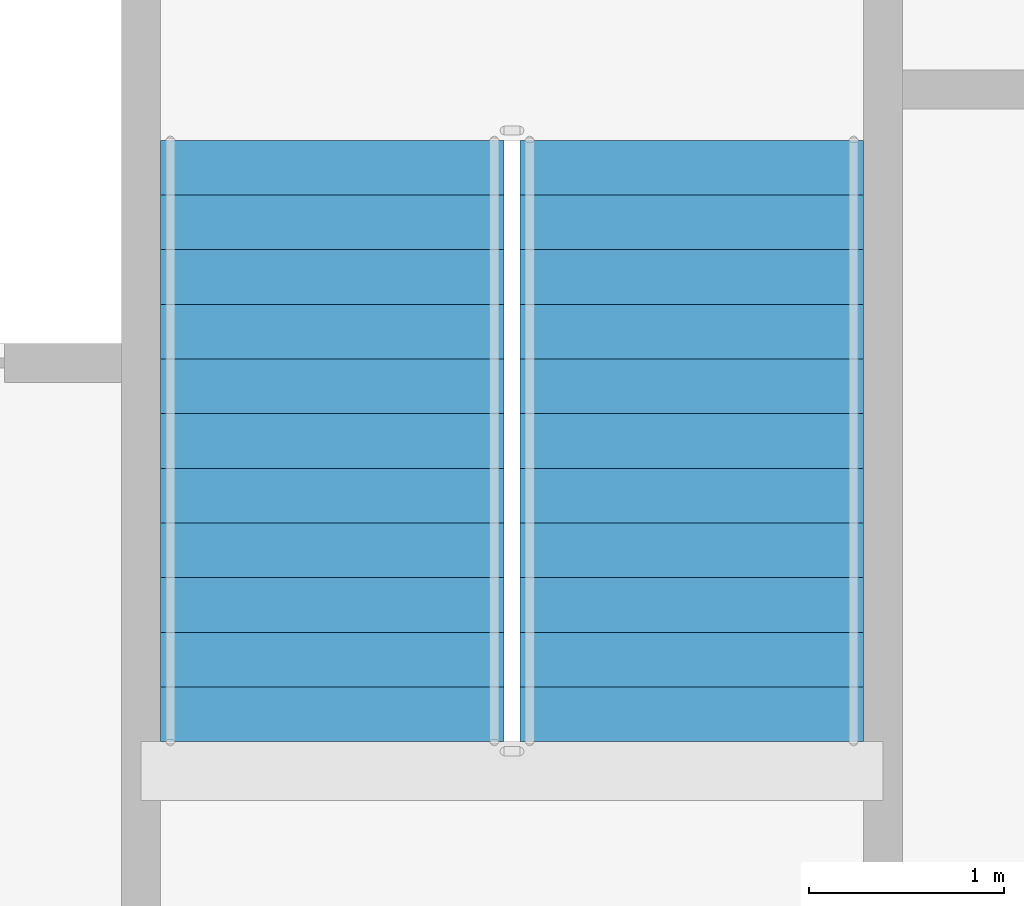
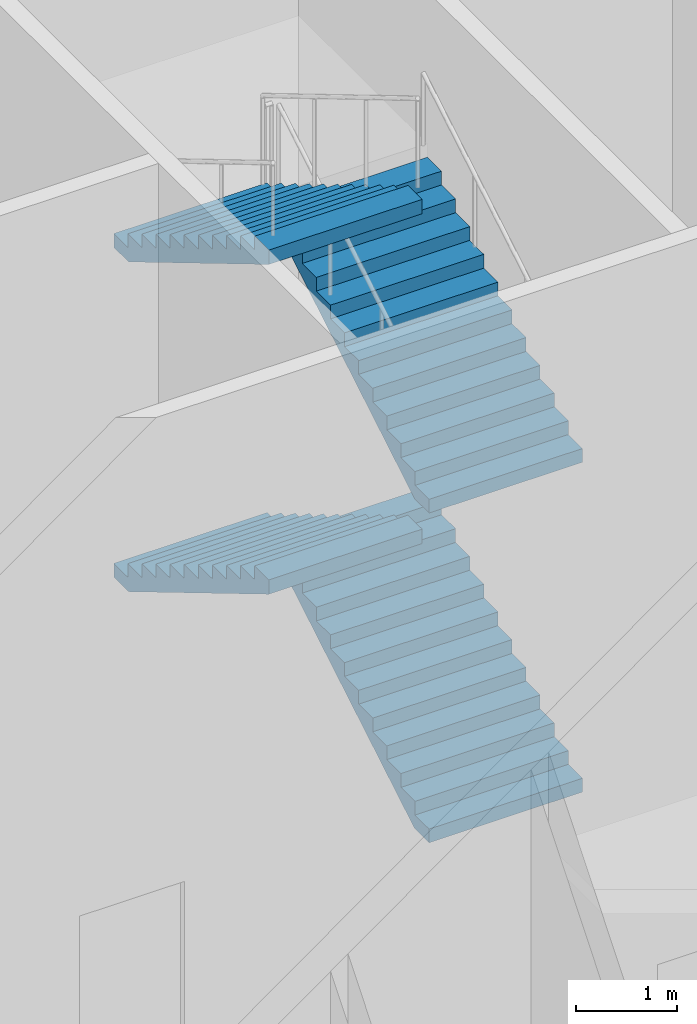
# One storey, part 54 of 63: 4 stair flights, 1 element without a shape of its own.
"""IFC4 building model written with IfcOpenShell, lengths in metres."""

import ifcopenshell
import ifcopenshell.guid

model = None  # the IFC model being written
_history = None  # IfcOwnerHistory: only IFC2X3 demands one
_inside = {}  # id of a spatial element -> (the spatial element, [elements in it])
_under = {}  # id of a project, library or spatial element -> (it, [spatial elements below it])
_declared = {}  # id of a project -> (the project, [libraries it declares])
_typed = {}  # id of a type object -> (the type object, [elements of that type])
_made_of = {}  # id of a material, layer set ... -> (it, [elements and type objects made of it])


def new_model(schema):
    """Start an empty IFC model of exactly this schema.

    Asked for "IFC4X3", IfcOpenShell would pick the latest addendum, in which some entities
    have other attributes; the version numbers below select the first issue.
    IFC2X3 requires an IfcOwnerHistory on every rooted entity: one is made here for all.
    """
    global model, _history
    if schema == "IFC4X3":
        model = ifcopenshell.file(schema_version=(4, 3, 0, 0))
    else:
        model = ifcopenshell.file(schema=schema)
    _inside.clear()
    _under.clear()
    _declared.clear()
    _typed.clear()
    _made_of.clear()
    _history = None
    if model.schema == "IFC2X3":
        org = make("IfcOrganization", Name="unknown")
        user = make(
            "IfcPersonAndOrganization",
            ThePerson=make("IfcPerson", FamilyName="unknown"),
            TheOrganization=org,
        )
        app = make(
            "IfcApplication",
            ApplicationDeveloper=org,
            Version="unknown",
            ApplicationFullName="unknown",
            ApplicationIdentifier="unknown",
        )
        _history = make(
            "IfcOwnerHistory",
            OwningUser=user,
            OwningApplication=app,
            ChangeAction="ADDED",
            CreationDate=0,
        )
    return model


def make(cls, **values):
    """One entity of the class cls with the attributes given. An attribute that is None is left unset."""
    return model.create_entity(
        cls, **{name: value for name, value in values.items() if value is not None}
    )


def rooted(cls, **values):
    """An entity with a GlobalId (a new one), such as an element, a storey or a relation."""
    return make(cls, GlobalId=ifcopenshell.guid.new(), OwnerHistory=_history, **values)


def si_unit(unit_type, name, prefix=None):
    """IfcSIUnit, for example si_unit("LENGTHUNIT", "METRE", prefix="MILLI")."""
    return make("IfcSIUnit", UnitType=unit_type, Prefix=prefix, Name=name)


def assignment(units):
    """IfcUnitAssignment: the units of a project."""
    return None if units is None else make("IfcUnitAssignment", Units=units)


def point(xyz):
    """IfcCartesianPoint."""
    return None if xyz is None else make("IfcCartesianPoint", Coordinates=xyz)


def direction(xyz):
    """IfcDirection."""
    return None if xyz is None else make("IfcDirection", DirectionRatios=xyz)


def frame(location, z_axis=None, x_axis=None):
    """IfcAxis2Placement3D, a coordinate frame: its origin and axes. An axis left out is left unset."""
    return make(
        "IfcAxis2Placement3D",
        Location=point(location),
        Axis=direction(z_axis),
        RefDirection=direction(x_axis),
    )


def origin():
    """The frame at (0, 0, 0) with its axes left unset."""
    return frame((0.0, 0.0, 0.0))


def place(relative_to, where):
    """IfcLocalPlacement: puts the frame where relative to a parent placement (None: the world)."""
    return make(
        "IfcLocalPlacement", PlacementRelTo=relative_to, RelativePlacement=where
    )


def context(
    kind, dimensions, precision=None, world=None, true_north=None, identifier=None
):
    """IfcGeometricRepresentationContext, for example the 3D "Model" context."""
    return make(
        "IfcGeometricRepresentationContext",
        ContextIdentifier=identifier,
        ContextType=kind,
        CoordinateSpaceDimension=dimensions,
        Precision=precision,
        WorldCoordinateSystem=world,
        TrueNorth=true_north,
    )


def subcontext(parent, identifier, kind, view, scale=None):
    """IfcGeometricRepresentationSubContext, for example "Body" below "Model"."""
    return make(
        "IfcGeometricRepresentationSubContext",
        ContextIdentifier=identifier,
        ContextType=kind,
        ParentContext=parent,
        TargetScale=scale,
        TargetView=view,
    )


def project(units=None, contexts=None):
    """IfcProject with its units and contexts."""
    return rooted(
        "IfcProject",
        Name="project",
        RepresentationContexts=contexts,
        UnitsInContext=assignment(units),
    )


def spatial(cls, under=None, at=None, **own):
    """A site, building, storey or space (cls), placed at a placement, below another one or the project."""
    s = rooted(cls, ObjectPlacement=at, **own)
    if under is not None:
        _under.setdefault(under.id(), (under, []))[1].append(s)
    return s


def faces_of(points, faces, orient=None, outer=None):
    """IfcFace entities. A face is a list of loops; a loop is a list of indices into points, from 0.

    orient and outer hold one flag for each loop. By default every Orientation is true, the
    first loop of a face is its IfcFaceOuterBound and the others are IfcFaceBound.
    """
    made = []
    for i, loops in enumerate(faces):
        bounds = []
        for j, loop in enumerate(loops):
            is_outer = j == 0 if outer is None else outer[i][j]
            bounds.append(
                make(
                    "IfcFaceOuterBound" if is_outer else "IfcFaceBound",
                    Bound=make("IfcPolyLoop", Polygon=[points[k] for k in loop]),
                    Orientation=True if orient is None else orient[i][j],
                )
            )
        made.append(make("IfcFace", Bounds=bounds))
    return made


def faceted_brep(points, faces, orient=None, outer=None, voids=None):
    """IfcFacetedBrep: a solid bounded by flat faces; with voids (closed shells), ...WithVoids."""
    shared = [point(p) for p in points]
    hull = make("IfcClosedShell", CfsFaces=faces_of(shared, faces, orient, outer))
    if voids is None:
        return make("IfcFacetedBrep", Outer=hull)
    return make(
        "IfcFacetedBrepWithVoids",
        Outer=hull,
        Voids=[
            make(cls, CfsFaces=faces_of(shared, fs, o, b)) for cls, fs, o, b in voids
        ],
    )


def shape(context_of_items, identifier, shape_type, items):
    """IfcShapeRepresentation: the items that make up one representation, for example the "Body"."""
    return make(
        "IfcShapeRepresentation",
        ContextOfItems=context_of_items,
        RepresentationIdentifier=identifier,
        RepresentationType=shape_type,
        Items=items,
    )


def material(Name=None, Category=None):
    """IfcMaterial."""
    return make("IfcMaterial", Name=Name, Category=Category)


def made_of(thing, what):
    """Note that an element or type object is made of a material, layer set ...; save() writes the relation."""
    if what is not None:
        _made_of.setdefault(what.id(), (what, []))[1].append(thing)
    return thing


def type_object(cls, material=None, **own):
    """A type object (cls), such as IfcWallType, which elements share."""
    return made_of(rooted(cls, **own), material)


def element(
    cls,
    number,
    at=None,
    inside=None,
    cuts=None,
    type_object=None,
    material=None,
    context=None,
    identifier="Body",
    shape_type=None,
    held_by="IfcProductDefinitionShape",
    body=None,
    shapes=None,
    **own,
):
    """One element of the class cls, such as IfcWall. Its Tag is "e" and its number.

    at: its placement. inside: the storey or other place that contains it. cuts: it is an
    opening in that element (IfcRelVoidsElement). A single representation is given by context,
    identifier, shape_type and body (its items); several are given by shapes. held_by: the class
    of the entity that holds the representations. save() writes the other relations.
    """
    e = rooted(cls, Tag="e%d" % number, ObjectPlacement=at, **own)
    if body is not None:
        shapes = [shape(context, identifier, shape_type, body)]
    if shapes is not None:
        e.Representation = make(held_by, Representations=shapes)
    if inside is not None:
        _inside.setdefault(inside.id(), (inside, []))[1].append(e)
    if cuts is not None:
        rooted(
            "IfcRelVoidsElement", RelatingBuildingElement=cuts, RelatedOpeningElement=e
        )
    if type_object is not None:
        _typed.setdefault(type_object.id(), (type_object, []))[1].append(e)
    return made_of(e, material)


def aggregate(whole, parts):
    """IfcRelAggregates: a whole, such as a stair, and the parts it consists of."""
    return rooted("IfcRelAggregates", RelatingObject=whole, RelatedObjects=parts)


def save(model, path):
    """Write the relations noted so far, then the file.

    IfcRelAggregates (storeys below a building ...), IfcRelContainedInSpatialStructure (elements
    in a storey), IfcRelDefinesByType, IfcRelAssociatesMaterial and IfcRelDeclares: one each for
    every whole, place, type object, material and project.
    """
    for whole, parts in _under.values():
        aggregate(whole, parts)
    for where, things in _inside.values():
        rooted(
            "IfcRelContainedInSpatialStructure",
            RelatedElements=things,
            RelatingStructure=where,
        )
    for kind, things in _typed.values():
        rooted("IfcRelDefinesByType", RelatedObjects=things, RelatingType=kind)
    for what, things in _made_of.values():
        rooted("IfcRelAssociatesMaterial", RelatedObjects=things, RelatingMaterial=what)
    for by, libraries in _declared.values():
        rooted("IfcRelDeclares", RelatingContext=by, RelatedDefinitions=libraries)
    model.write(path)


model = new_model("IFC4")

# Units and contexts
model_context = context("Model", 3, precision=1e-05, world=origin(), true_north=direction((0.0, 1.0)))
body_context = subcontext(model_context, "Body", "Model", "MODEL_VIEW")
ifc_project = project(units=[si_unit("LENGTHUNIT", "METRE"), si_unit("AREAUNIT", "SQUARE_METRE"), si_unit("VOLUMEUNIT", "CUBIC_METRE"), si_unit("PLANEANGLEUNIT", "RADIAN"), si_unit("MASSUNIT", "GRAM", prefix="KILO")], contexts=[model_context])

# Site, building, storey
site_placement = place(None, origin())
site = spatial("IfcSite", under=ifc_project, at=site_placement, CompositionType="ELEMENT")
building_placement = place(site_placement, origin())
building = spatial("IfcBuilding", under=site, at=building_placement, Name="Tarsis Ring Headquarters", CompositionType="ELEMENT")
storey_placement = place(building_placement, frame((0.0, 0.0, 139.60009765625)))
storey = spatial("IfcBuildingStorey", under=building, at=storey_placement, Name="L32", CompositionType="ELEMENT", Elevation=139.60009765625)

# Stair, stair flights
ifc_material_1 = material(Name="Core stair 1760")
stair_type = type_object("IfcStairType", Name="Core stair 1760", PredefinedType="HALF_TURN_STAIR", material=ifc_material_1)
stair_placement = place(storey_placement, origin())
stair = element("IfcStair", 1, at=stair_placement, inside=storey, type_object=stair_type, Name="L32 Exit stair B", PredefinedType="HALF_TURN_STAIR")
ifc_material_2 = material(Name="Concrete C40/50", Category="concrete")
stair_flight_type = type_object("IfcStairFlightType", Name="Core stair flight 1760", PredefinedType="STRAIGHT", material=ifc_material_2)
stair_flight_1_placement = place(storey_placement, frame((5.419921875, 3.659912109375, 0.0), z_axis=(0.0, 0.0, 1.0), x_axis=(0.0, 1.0, 0.0)))
stair_flight_1 = element("IfcStairFlight", 2, at=stair_flight_1_placement, type_object=stair_flight_type, Name="Stair ST2 flight 1", NumberOfRisers=12, NumberOfTreads=11, PredefinedType="STRAIGHT", RiserHeight=0.166666667, TreadLength=0.28, context=body_context, shape_type="Brep", body=[
    faceted_brep([(0.0, 0.8798828125, 0.0), (0.0, 0.8798828125, 0.166748046875), (0.280029296875, 0.8798828125, 0.166748046875), (0.280029296875, 0.8798828125, 0.333251953125), (0.56005859375, 0.8798828125, 0.333251953125), (0.56005859375, 0.8798828125, 0.5), (0.840087890625, 0.8798828125, 0.5), (0.840087890625, 0.8798828125, 0.666748046875), (1.1201171875, 0.8798828125, 0.666748046875), (1.1201171875, 0.8798828125, 0.833251953125), (1.39990234375, 0.8798828125, 0.833251953125), (1.39990234375, 0.8798828125, 1.0), (1.679931640625, 0.8798828125, 1.0), (1.679931640625, 0.8798828125, 1.166748046875), (1.9599609375, 0.8798828125, 1.166748046875), (1.9599609375, 0.8798828125, 1.333251953125), (2.239990234375, 0.8798828125, 1.333251953125), (2.239990234375, 0.8798828125, 1.5), (2.52001953125, 0.8798828125, 1.5), (2.52001953125, 0.8798828125, 1.666748046875), (2.800048828125, 0.8798828125, 1.666748046875), (2.800048828125, 0.8798828125, 1.833251953125), (3.080078125, 0.8798828125, 1.833251953125), (3.080078125, 0.8798828125, 1.658935546875), (0.29296875, 0.8798828125, 0.0), (0.29296875, -0.8798828125, 0.0), (3.080078125, -0.8798828125, 1.658935546875), (3.080078125, -0.8798828125, 1.833251953125), (2.800048828125, -0.8798828125, 1.833251953125), (2.800048828125, -0.8798828125, 1.666748046875), (2.52001953125, -0.8798828125, 1.666748046875), (2.52001953125, -0.8798828125, 1.5), (2.239990234375, -0.8798828125, 1.5), (2.239990234375, -0.8798828125, 1.333251953125), (1.9599609375, -0.8798828125, 1.333251953125), (1.9599609375, -0.8798828125, 1.166748046875), (1.679931640625, -0.8798828125, 1.166748046875), (1.679931640625, -0.8798828125, 1.0), (1.39990234375, -0.8798828125, 1.0), (1.39990234375, -0.8798828125, 0.833251953125), (1.1201171875, -0.8798828125, 0.833251953125), (1.1201171875, -0.8798828125, 0.666748046875), (0.840087890625, -0.8798828125, 0.666748046875), (0.840087890625, -0.8798828125, 0.5), (0.56005859375, -0.8798828125, 0.5), (0.56005859375, -0.8798828125, 0.333251953125), (0.280029296875, -0.8798828125, 0.333251953125), (0.280029296875, -0.8798828125, 0.166748046875), (0.0, -0.8798828125, 0.166748046875), (0.0, -0.8798828125, 0.0), (0.0, -0.43994140625, 0.166748046875), (0.0, -0.43994140625, 0.0), (0.0, 0.0, 0.166748046875), (0.0, 0.0, 0.0), (0.0, 0.43994140625, 0.166748046875), (0.0, 0.43994140625, 0.0), (0.280029296875, -0.43994140625, 0.166748046875), (0.280029296875, 0.0, 0.166748046875), (0.280029296875, 0.43994140625, 0.166748046875), (0.280029296875, -0.43994140625, 0.333251953125), (0.280029296875, 0.0, 0.333251953125), (0.280029296875, 0.43994140625, 0.333251953125), (0.56005859375, -0.43994140625, 0.333251953125), (0.56005859375, 0.0, 0.333251953125), (0.56005859375, 0.43994140625, 0.333251953125), (0.56005859375, -0.43994140625, 0.5), (0.56005859375, 0.0, 0.5), (0.56005859375, 0.43994140625, 0.5), (0.840087890625, -0.43994140625, 0.5), (0.840087890625, 0.0, 0.5), (0.840087890625, 0.43994140625, 0.5), (0.840087890625, -0.43994140625, 0.666748046875), (0.840087890625, 0.0, 0.666748046875), (0.840087890625, 0.43994140625, 0.666748046875), (1.1201171875, -0.43994140625, 0.666748046875), (1.1201171875, 0.0, 0.666748046875), (1.1201171875, 0.43994140625, 0.666748046875), (1.1201171875, -0.43994140625, 0.833251953125), (1.1201171875, 0.0, 0.833251953125), (1.1201171875, 0.43994140625, 0.833251953125), (1.39990234375, -0.43994140625, 0.833251953125), (1.39990234375, 0.0, 0.833251953125), (1.39990234375, 0.43994140625, 0.833251953125), (1.39990234375, -0.43994140625, 1.0), (1.39990234375, 0.0, 1.0), (1.39990234375, 0.43994140625, 1.0), (1.679931640625, -0.43994140625, 1.0), (1.679931640625, 0.0, 1.0), (1.679931640625, 0.43994140625, 1.0), (1.679931640625, -0.43994140625, 1.166748046875), (1.679931640625, 0.0, 1.166748046875), (1.679931640625, 0.43994140625, 1.166748046875), (1.9599609375, -0.43994140625, 1.166748046875), (1.9599609375, 0.0, 1.166748046875), (1.9599609375, 0.43994140625, 1.166748046875), (1.9599609375, -0.43994140625, 1.333251953125), (1.9599609375, 0.0, 1.333251953125), (1.9599609375, 0.43994140625, 1.333251953125), (2.239990234375, -0.43994140625, 1.333251953125), (2.239990234375, 0.0, 1.333251953125), (2.239990234375, 0.43994140625, 1.333251953125), (2.239990234375, -0.43994140625, 1.5), (2.239990234375, 0.0, 1.5), (2.239990234375, 0.43994140625, 1.5), (2.52001953125, -0.43994140625, 1.5), (2.52001953125, 0.0, 1.5), (2.52001953125, 0.43994140625, 1.5), (2.52001953125, -0.43994140625, 1.666748046875), (2.52001953125, 0.0, 1.666748046875), (2.52001953125, 0.43994140625, 1.666748046875), (2.800048828125, -0.43994140625, 1.666748046875), (2.800048828125, 0.0, 1.666748046875), (2.800048828125, 0.43994140625, 1.666748046875), (2.800048828125, -0.43994140625, 1.833251953125), (2.800048828125, 0.0, 1.833251953125), (2.800048828125, 0.43994140625, 1.833251953125), (3.080078125, -0.43994140625, 1.833251953125), (3.080078125, 0.0, 1.833251953125), (3.080078125, 0.43994140625, 1.833251953125), (3.080078125, -0.43994140625, 1.658935546875), (3.080078125, 0.0, 1.658935546875), (3.080078125, 0.43994140625, 1.658935546875), (0.29296875, -0.43994140625, 0.0), (0.29296875, 0.0, 0.0), (0.29296875, 0.43994140625, 0.0)], [[[0, 1, 2, 3, 4, 5, 6, 7, 8, 9, 10, 11, 12, 13, 14, 15, 16, 17, 18, 19, 20, 21, 22, 23, 24]], [[25, 26, 27, 28, 29, 30, 31, 32, 33, 34, 35, 36, 37, 38, 39, 40, 41, 42, 43, 44, 45, 46, 47, 48, 49]], [[49, 48, 50, 51]], [[51, 50, 52, 53]], [[53, 52, 54, 55]], [[55, 54, 1, 0]], [[48, 47, 56, 50]], [[50, 56, 57, 52]], [[52, 57, 58, 54]], [[54, 58, 2, 1]], [[47, 46, 59, 56]], [[56, 59, 60, 57]], [[57, 60, 61, 58]], [[58, 61, 3, 2]], [[46, 45, 62, 59]], [[59, 62, 63, 60]], [[60, 63, 64, 61]], [[61, 64, 4, 3]], [[45, 44, 65, 62]], [[62, 65, 66, 63]], [[63, 66, 67, 64]], [[64, 67, 5, 4]], [[44, 43, 68, 65]], [[65, 68, 69, 66]], [[66, 69, 70, 67]], [[67, 70, 6, 5]], [[43, 42, 71, 68]], [[68, 71, 72, 69]], [[69, 72, 73, 70]], [[70, 73, 7, 6]], [[42, 41, 74, 71]], [[71, 74, 75, 72]], [[72, 75, 76, 73]], [[73, 76, 8, 7]], [[41, 40, 77, 74]], [[74, 77, 78, 75]], [[75, 78, 79, 76]], [[76, 79, 9, 8]], [[40, 39, 80, 77]], [[77, 80, 81, 78]], [[78, 81, 82, 79]], [[79, 82, 10, 9]], [[39, 38, 83, 80]], [[80, 83, 84, 81]], [[81, 84, 85, 82]], [[82, 85, 11, 10]], [[38, 37, 86, 83]], [[83, 86, 87, 84]], [[84, 87, 88, 85]], [[85, 88, 12, 11]], [[37, 36, 89, 86]], [[86, 89, 90, 87]], [[87, 90, 91, 88]], [[88, 91, 13, 12]], [[36, 35, 92, 89]], [[89, 92, 93, 90]], [[90, 93, 94, 91]], [[91, 94, 14, 13]], [[35, 34, 95, 92]], [[92, 95, 96, 93]], [[93, 96, 97, 94]], [[94, 97, 15, 14]], [[34, 33, 98, 95]], [[95, 98, 99, 96]], [[96, 99, 100, 97]], [[97, 100, 16, 15]], [[33, 32, 101, 98]], [[98, 101, 102, 99]], [[99, 102, 103, 100]], [[100, 103, 17, 16]], [[32, 31, 104, 101]], [[101, 104, 105, 102]], [[102, 105, 106, 103]], [[103, 106, 18, 17]], [[31, 30, 107, 104]], [[104, 107, 108, 105]], [[105, 108, 109, 106]], [[106, 109, 19, 18]], [[30, 29, 110, 107]], [[107, 110, 111, 108]], [[108, 111, 112, 109]], [[109, 112, 20, 19]], [[29, 28, 113, 110]], [[110, 113, 114, 111]], [[111, 114, 115, 112]], [[112, 115, 21, 20]], [[28, 27, 116, 113]], [[113, 116, 117, 114]], [[114, 117, 118, 115]], [[115, 118, 22, 21]], [[27, 26, 119, 116]], [[116, 119, 120, 117]], [[117, 120, 121, 118]], [[118, 121, 23, 22]], [[26, 25, 122, 119]], [[119, 122, 123, 120]], [[120, 123, 124, 121]], [[121, 124, 24, 23]], [[25, 49, 51, 122]], [[122, 51, 53, 123]], [[123, 53, 55, 124]], [[124, 55, 0, 24]]]),
])
stair_flight_2_placement = place(storey_placement, frame((3.580078125, 6.739990234375, 2.0), z_axis=(0.0, 0.0, 1.0), x_axis=(0.0, -1.0, 0.0)))
stair_flight_2 = element("IfcStairFlight", 3, at=stair_flight_2_placement, type_object=stair_flight_type, Name="Stair ST2 flight 2", NumberOfRisers=12, NumberOfTreads=11, PredefinedType="STRAIGHT", RiserHeight=0.166666667, TreadLength=0.28, context=body_context, shape_type="Brep", body=[
    faceted_brep([(0.0, 0.8798828125, 0.0), (0.0, 0.8798828125, 0.166748046875), (0.280029296875, 0.8798828125, 0.166748046875), (0.280029296875, 0.8798828125, 0.333251953125), (0.56005859375, 0.8798828125, 0.333251953125), (0.56005859375, 0.8798828125, 0.5), (0.840087890625, 0.8798828125, 0.5), (0.840087890625, 0.8798828125, 0.666748046875), (1.1201171875, 0.8798828125, 0.666748046875), (1.1201171875, 0.8798828125, 0.833251953125), (1.39990234375, 0.8798828125, 0.833251953125), (1.39990234375, 0.8798828125, 1.0), (1.679931640625, 0.8798828125, 1.0), (1.679931640625, 0.8798828125, 1.166748046875), (1.9599609375, 0.8798828125, 1.166748046875), (1.9599609375, 0.8798828125, 1.333251953125), (2.239990234375, 0.8798828125, 1.333251953125), (2.239990234375, 0.8798828125, 1.5), (2.52001953125, 0.8798828125, 1.5), (2.52001953125, 0.8798828125, 1.666748046875), (2.800048828125, 0.8798828125, 1.666748046875), (2.800048828125, 0.8798828125, 1.833251953125), (3.080078125, 0.8798828125, 1.833251953125), (3.080078125, 0.8798828125, 1.658935546875), (0.29296875, 0.8798828125, 0.0), (0.29296875, -0.8798828125, 0.0), (3.080078125, -0.8798828125, 1.658935546875), (3.080078125, -0.8798828125, 1.833251953125), (2.800048828125, -0.8798828125, 1.833251953125), (2.800048828125, -0.8798828125, 1.666748046875), (2.52001953125, -0.8798828125, 1.666748046875), (2.52001953125, -0.8798828125, 1.5), (2.239990234375, -0.8798828125, 1.5), (2.239990234375, -0.8798828125, 1.333251953125), (1.9599609375, -0.8798828125, 1.333251953125), (1.9599609375, -0.8798828125, 1.166748046875), (1.679931640625, -0.8798828125, 1.166748046875), (1.679931640625, -0.8798828125, 1.0), (1.39990234375, -0.8798828125, 1.0), (1.39990234375, -0.8798828125, 0.833251953125), (1.1201171875, -0.8798828125, 0.833251953125), (1.1201171875, -0.8798828125, 0.666748046875), (0.840087890625, -0.8798828125, 0.666748046875), (0.840087890625, -0.8798828125, 0.5), (0.56005859375, -0.8798828125, 0.5), (0.56005859375, -0.8798828125, 0.333251953125), (0.280029296875, -0.8798828125, 0.333251953125), (0.280029296875, -0.8798828125, 0.166748046875), (0.0, -0.8798828125, 0.166748046875), (0.0, -0.8798828125, 0.0), (0.0, -0.43994140625, 0.166748046875), (0.0, -0.43994140625, 0.0), (0.0, 0.0, 0.166748046875), (0.0, 0.0, 0.0), (0.0, 0.43994140625, 0.166748046875), (0.0, 0.43994140625, 0.0), (0.280029296875, -0.43994140625, 0.166748046875), (0.280029296875, 0.0, 0.166748046875), (0.280029296875, 0.43994140625, 0.166748046875), (0.280029296875, -0.43994140625, 0.333251953125), (0.280029296875, 0.0, 0.333251953125), (0.280029296875, 0.43994140625, 0.333251953125), (0.56005859375, -0.43994140625, 0.333251953125), (0.56005859375, 0.0, 0.333251953125), (0.56005859375, 0.43994140625, 0.333251953125), (0.56005859375, -0.43994140625, 0.5), (0.56005859375, 0.0, 0.5), (0.56005859375, 0.43994140625, 0.5), (0.840087890625, -0.43994140625, 0.5), (0.840087890625, 0.0, 0.5), (0.840087890625, 0.43994140625, 0.5), (0.840087890625, -0.43994140625, 0.666748046875), (0.840087890625, 0.0, 0.666748046875), (0.840087890625, 0.43994140625, 0.666748046875), (1.1201171875, -0.43994140625, 0.666748046875), (1.1201171875, 0.0, 0.666748046875), (1.1201171875, 0.43994140625, 0.666748046875), (1.1201171875, -0.43994140625, 0.833251953125), (1.1201171875, 0.0, 0.833251953125), (1.1201171875, 0.43994140625, 0.833251953125), (1.39990234375, -0.43994140625, 0.833251953125), (1.39990234375, 0.0, 0.833251953125), (1.39990234375, 0.43994140625, 0.833251953125), (1.39990234375, -0.43994140625, 1.0), (1.39990234375, 0.0, 1.0), (1.39990234375, 0.43994140625, 1.0), (1.679931640625, -0.43994140625, 1.0), (1.679931640625, 0.0, 1.0), (1.679931640625, 0.43994140625, 1.0), (1.679931640625, -0.43994140625, 1.166748046875), (1.679931640625, 0.0, 1.166748046875), (1.679931640625, 0.43994140625, 1.166748046875), (1.9599609375, -0.43994140625, 1.166748046875), (1.9599609375, 0.0, 1.166748046875), (1.9599609375, 0.43994140625, 1.166748046875), (1.9599609375, -0.43994140625, 1.333251953125), (1.9599609375, 0.0, 1.333251953125), (1.9599609375, 0.43994140625, 1.333251953125), (2.239990234375, -0.43994140625, 1.333251953125), (2.239990234375, 0.0, 1.333251953125), (2.239990234375, 0.43994140625, 1.333251953125), (2.239990234375, -0.43994140625, 1.5), (2.239990234375, 0.0, 1.5), (2.239990234375, 0.43994140625, 1.5), (2.52001953125, -0.43994140625, 1.5), (2.52001953125, 0.0, 1.5), (2.52001953125, 0.43994140625, 1.5), (2.52001953125, -0.43994140625, 1.666748046875), (2.52001953125, 0.0, 1.666748046875), (2.52001953125, 0.43994140625, 1.666748046875), (2.800048828125, -0.43994140625, 1.666748046875), (2.800048828125, 0.0, 1.666748046875), (2.800048828125, 0.43994140625, 1.666748046875), (2.800048828125, -0.43994140625, 1.833251953125), (2.800048828125, 0.0, 1.833251953125), (2.800048828125, 0.43994140625, 1.833251953125), (3.080078125, -0.43994140625, 1.833251953125), (3.080078125, 0.0, 1.833251953125), (3.080078125, 0.43994140625, 1.833251953125), (3.080078125, -0.43994140625, 1.658935546875), (3.080078125, 0.0, 1.658935546875), (3.080078125, 0.43994140625, 1.658935546875), (0.29296875, -0.43994140625, 0.0), (0.29296875, 0.0, 0.0), (0.29296875, 0.43994140625, 0.0)], [[[0, 1, 2, 3, 4, 5, 6, 7, 8, 9, 10, 11, 12, 13, 14, 15, 16, 17, 18, 19, 20, 21, 22, 23, 24]], [[25, 26, 27, 28, 29, 30, 31, 32, 33, 34, 35, 36, 37, 38, 39, 40, 41, 42, 43, 44, 45, 46, 47, 48, 49]], [[49, 48, 50, 51]], [[51, 50, 52, 53]], [[53, 52, 54, 55]], [[55, 54, 1, 0]], [[48, 47, 56, 50]], [[50, 56, 57, 52]], [[52, 57, 58, 54]], [[54, 58, 2, 1]], [[47, 46, 59, 56]], [[56, 59, 60, 57]], [[57, 60, 61, 58]], [[58, 61, 3, 2]], [[46, 45, 62, 59]], [[59, 62, 63, 60]], [[60, 63, 64, 61]], [[61, 64, 4, 3]], [[45, 44, 65, 62]], [[62, 65, 66, 63]], [[63, 66, 67, 64]], [[64, 67, 5, 4]], [[44, 43, 68, 65]], [[65, 68, 69, 66]], [[66, 69, 70, 67]], [[67, 70, 6, 5]], [[43, 42, 71, 68]], [[68, 71, 72, 69]], [[69, 72, 73, 70]], [[70, 73, 7, 6]], [[42, 41, 74, 71]], [[71, 74, 75, 72]], [[72, 75, 76, 73]], [[73, 76, 8, 7]], [[41, 40, 77, 74]], [[74, 77, 78, 75]], [[75, 78, 79, 76]], [[76, 79, 9, 8]], [[40, 39, 80, 77]], [[77, 80, 81, 78]], [[78, 81, 82, 79]], [[79, 82, 10, 9]], [[39, 38, 83, 80]], [[80, 83, 84, 81]], [[81, 84, 85, 82]], [[82, 85, 11, 10]], [[38, 37, 86, 83]], [[83, 86, 87, 84]], [[84, 87, 88, 85]], [[85, 88, 12, 11]], [[37, 36, 89, 86]], [[86, 89, 90, 87]], [[87, 90, 91, 88]], [[88, 91, 13, 12]], [[36, 35, 92, 89]], [[89, 92, 93, 90]], [[90, 93, 94, 91]], [[91, 94, 14, 13]], [[35, 34, 95, 92]], [[92, 95, 96, 93]], [[93, 96, 97, 94]], [[94, 97, 15, 14]], [[34, 33, 98, 95]], [[95, 98, 99, 96]], [[96, 99, 100, 97]], [[97, 100, 16, 15]], [[33, 32, 101, 98]], [[98, 101, 102, 99]], [[99, 102, 103, 100]], [[100, 103, 17, 16]], [[32, 31, 104, 101]], [[101, 104, 105, 102]], [[102, 105, 106, 103]], [[103, 106, 18, 17]], [[31, 30, 107, 104]], [[104, 107, 108, 105]], [[105, 108, 109, 106]], [[106, 109, 19, 18]], [[30, 29, 110, 107]], [[107, 110, 111, 108]], [[108, 111, 112, 109]], [[109, 112, 20, 19]], [[29, 28, 113, 110]], [[110, 113, 114, 111]], [[111, 114, 115, 112]], [[112, 115, 21, 20]], [[28, 27, 116, 113]], [[113, 116, 117, 114]], [[114, 117, 118, 115]], [[115, 118, 22, 21]], [[27, 26, 119, 116]], [[116, 119, 120, 117]], [[117, 120, 121, 118]], [[118, 121, 23, 22]], [[26, 25, 122, 119]], [[119, 122, 123, 120]], [[120, 123, 124, 121]], [[121, 124, 24, 23]], [[25, 49, 51, 122]], [[122, 51, 53, 123]], [[123, 53, 55, 124]], [[124, 55, 0, 24]]]),
])
stair_flight_3_placement = place(storey_placement, frame((5.419921875, 3.659912109375, 4.0), z_axis=(0.0, 0.0, 1.0), x_axis=(0.0, 1.0, 0.0)))
stair_flight_3 = element("IfcStairFlight", 4, at=stair_flight_3_placement, type_object=stair_flight_type, Name="Stair ST2 flight 3", NumberOfRisers=12, NumberOfTreads=11, PredefinedType="STRAIGHT", RiserHeight=0.166666667, TreadLength=0.28, context=body_context, shape_type="Brep", body=[
    faceted_brep([(0.0, 0.8798828125, 0.0), (0.0, 0.8798828125, 0.166748046875), (0.280029296875, 0.8798828125, 0.166748046875), (0.280029296875, 0.8798828125, 0.333251953125), (0.56005859375, 0.8798828125, 0.333251953125), (0.56005859375, 0.8798828125, 0.5), (0.840087890625, 0.8798828125, 0.5), (0.840087890625, 0.8798828125, 0.666748046875), (1.1201171875, 0.8798828125, 0.666748046875), (1.1201171875, 0.8798828125, 0.833251953125), (1.39990234375, 0.8798828125, 0.833251953125), (1.39990234375, 0.8798828125, 1.0), (1.679931640625, 0.8798828125, 1.0), (1.679931640625, 0.8798828125, 1.166748046875), (1.9599609375, 0.8798828125, 1.166748046875), (1.9599609375, 0.8798828125, 1.333251953125), (2.239990234375, 0.8798828125, 1.333251953125), (2.239990234375, 0.8798828125, 1.5), (2.52001953125, 0.8798828125, 1.5), (2.52001953125, 0.8798828125, 1.666748046875), (2.800048828125, 0.8798828125, 1.666748046875), (2.800048828125, 0.8798828125, 1.833251953125), (3.080078125, 0.8798828125, 1.833251953125), (3.080078125, 0.8798828125, 1.658935546875), (0.29296875, 0.8798828125, 0.0), (0.29296875, -0.8798828125, 0.0), (3.080078125, -0.8798828125, 1.658935546875), (3.080078125, -0.8798828125, 1.833251953125), (2.800048828125, -0.8798828125, 1.833251953125), (2.800048828125, -0.8798828125, 1.666748046875), (2.52001953125, -0.8798828125, 1.666748046875), (2.52001953125, -0.8798828125, 1.5), (2.239990234375, -0.8798828125, 1.5), (2.239990234375, -0.8798828125, 1.333251953125), (1.9599609375, -0.8798828125, 1.333251953125), (1.9599609375, -0.8798828125, 1.166748046875), (1.679931640625, -0.8798828125, 1.166748046875), (1.679931640625, -0.8798828125, 1.0), (1.39990234375, -0.8798828125, 1.0), (1.39990234375, -0.8798828125, 0.833251953125), (1.1201171875, -0.8798828125, 0.833251953125), (1.1201171875, -0.8798828125, 0.666748046875), (0.840087890625, -0.8798828125, 0.666748046875), (0.840087890625, -0.8798828125, 0.5), (0.56005859375, -0.8798828125, 0.5), (0.56005859375, -0.8798828125, 0.333251953125), (0.280029296875, -0.8798828125, 0.333251953125), (0.280029296875, -0.8798828125, 0.166748046875), (0.0, -0.8798828125, 0.166748046875), (0.0, -0.8798828125, 0.0), (0.0, -0.43994140625, 0.166748046875), (0.0, -0.43994140625, 0.0), (0.0, 0.0, 0.166748046875), (0.0, 0.0, 0.0), (0.0, 0.43994140625, 0.166748046875), (0.0, 0.43994140625, 0.0), (0.280029296875, -0.43994140625, 0.166748046875), (0.280029296875, 0.0, 0.166748046875), (0.280029296875, 0.43994140625, 0.166748046875), (0.280029296875, -0.43994140625, 0.333251953125), (0.280029296875, 0.0, 0.333251953125), (0.280029296875, 0.43994140625, 0.333251953125), (0.56005859375, -0.43994140625, 0.333251953125), (0.56005859375, 0.0, 0.333251953125), (0.56005859375, 0.43994140625, 0.333251953125), (0.56005859375, -0.43994140625, 0.5), (0.56005859375, 0.0, 0.5), (0.56005859375, 0.43994140625, 0.5), (0.840087890625, -0.43994140625, 0.5), (0.840087890625, 0.0, 0.5), (0.840087890625, 0.43994140625, 0.5), (0.840087890625, -0.43994140625, 0.666748046875), (0.840087890625, 0.0, 0.666748046875), (0.840087890625, 0.43994140625, 0.666748046875), (1.1201171875, -0.43994140625, 0.666748046875), (1.1201171875, 0.0, 0.666748046875), (1.1201171875, 0.43994140625, 0.666748046875), (1.1201171875, -0.43994140625, 0.833251953125), (1.1201171875, 0.0, 0.833251953125), (1.1201171875, 0.43994140625, 0.833251953125), (1.39990234375, -0.43994140625, 0.833251953125), (1.39990234375, 0.0, 0.833251953125), (1.39990234375, 0.43994140625, 0.833251953125), (1.39990234375, -0.43994140625, 1.0), (1.39990234375, 0.0, 1.0), (1.39990234375, 0.43994140625, 1.0), (1.679931640625, -0.43994140625, 1.0), (1.679931640625, 0.0, 1.0), (1.679931640625, 0.43994140625, 1.0), (1.679931640625, -0.43994140625, 1.166748046875), (1.679931640625, 0.0, 1.166748046875), (1.679931640625, 0.43994140625, 1.166748046875), (1.9599609375, -0.43994140625, 1.166748046875), (1.9599609375, 0.0, 1.166748046875), (1.9599609375, 0.43994140625, 1.166748046875), (1.9599609375, -0.43994140625, 1.333251953125), (1.9599609375, 0.0, 1.333251953125), (1.9599609375, 0.43994140625, 1.333251953125), (2.239990234375, -0.43994140625, 1.333251953125), (2.239990234375, 0.0, 1.333251953125), (2.239990234375, 0.43994140625, 1.333251953125), (2.239990234375, -0.43994140625, 1.5), (2.239990234375, 0.0, 1.5), (2.239990234375, 0.43994140625, 1.5), (2.52001953125, -0.43994140625, 1.5), (2.52001953125, 0.0, 1.5), (2.52001953125, 0.43994140625, 1.5), (2.52001953125, -0.43994140625, 1.666748046875), (2.52001953125, 0.0, 1.666748046875), (2.52001953125, 0.43994140625, 1.666748046875), (2.800048828125, -0.43994140625, 1.666748046875), (2.800048828125, 0.0, 1.666748046875), (2.800048828125, 0.43994140625, 1.666748046875), (2.800048828125, -0.43994140625, 1.833251953125), (2.800048828125, 0.0, 1.833251953125), (2.800048828125, 0.43994140625, 1.833251953125), (3.080078125, -0.43994140625, 1.833251953125), (3.080078125, 0.0, 1.833251953125), (3.080078125, 0.43994140625, 1.833251953125), (3.080078125, -0.43994140625, 1.658935546875), (3.080078125, 0.0, 1.658935546875), (3.080078125, 0.43994140625, 1.658935546875), (0.29296875, -0.43994140625, 0.0), (0.29296875, 0.0, 0.0), (0.29296875, 0.43994140625, 0.0)], [[[0, 1, 2, 3, 4, 5, 6, 7, 8, 9, 10, 11, 12, 13, 14, 15, 16, 17, 18, 19, 20, 21, 22, 23, 24]], [[25, 26, 27, 28, 29, 30, 31, 32, 33, 34, 35, 36, 37, 38, 39, 40, 41, 42, 43, 44, 45, 46, 47, 48, 49]], [[49, 48, 50, 51]], [[51, 50, 52, 53]], [[53, 52, 54, 55]], [[55, 54, 1, 0]], [[48, 47, 56, 50]], [[50, 56, 57, 52]], [[52, 57, 58, 54]], [[54, 58, 2, 1]], [[47, 46, 59, 56]], [[56, 59, 60, 57]], [[57, 60, 61, 58]], [[58, 61, 3, 2]], [[46, 45, 62, 59]], [[59, 62, 63, 60]], [[60, 63, 64, 61]], [[61, 64, 4, 3]], [[45, 44, 65, 62]], [[62, 65, 66, 63]], [[63, 66, 67, 64]], [[64, 67, 5, 4]], [[44, 43, 68, 65]], [[65, 68, 69, 66]], [[66, 69, 70, 67]], [[67, 70, 6, 5]], [[43, 42, 71, 68]], [[68, 71, 72, 69]], [[69, 72, 73, 70]], [[70, 73, 7, 6]], [[42, 41, 74, 71]], [[71, 74, 75, 72]], [[72, 75, 76, 73]], [[73, 76, 8, 7]], [[41, 40, 77, 74]], [[74, 77, 78, 75]], [[75, 78, 79, 76]], [[76, 79, 9, 8]], [[40, 39, 80, 77]], [[77, 80, 81, 78]], [[78, 81, 82, 79]], [[79, 82, 10, 9]], [[39, 38, 83, 80]], [[80, 83, 84, 81]], [[81, 84, 85, 82]], [[82, 85, 11, 10]], [[38, 37, 86, 83]], [[83, 86, 87, 84]], [[84, 87, 88, 85]], [[85, 88, 12, 11]], [[37, 36, 89, 86]], [[86, 89, 90, 87]], [[87, 90, 91, 88]], [[88, 91, 13, 12]], [[36, 35, 92, 89]], [[89, 92, 93, 90]], [[90, 93, 94, 91]], [[91, 94, 14, 13]], [[35, 34, 95, 92]], [[92, 95, 96, 93]], [[93, 96, 97, 94]], [[94, 97, 15, 14]], [[34, 33, 98, 95]], [[95, 98, 99, 96]], [[96, 99, 100, 97]], [[97, 100, 16, 15]], [[33, 32, 101, 98]], [[98, 101, 102, 99]], [[99, 102, 103, 100]], [[100, 103, 17, 16]], [[32, 31, 104, 101]], [[101, 104, 105, 102]], [[102, 105, 106, 103]], [[103, 106, 18, 17]], [[31, 30, 107, 104]], [[104, 107, 108, 105]], [[105, 108, 109, 106]], [[106, 109, 19, 18]], [[30, 29, 110, 107]], [[107, 110, 111, 108]], [[108, 111, 112, 109]], [[109, 112, 20, 19]], [[29, 28, 113, 110]], [[110, 113, 114, 111]], [[111, 114, 115, 112]], [[112, 115, 21, 20]], [[28, 27, 116, 113]], [[113, 116, 117, 114]], [[114, 117, 118, 115]], [[115, 118, 22, 21]], [[27, 26, 119, 116]], [[116, 119, 120, 117]], [[117, 120, 121, 118]], [[118, 121, 23, 22]], [[26, 25, 122, 119]], [[119, 122, 123, 120]], [[120, 123, 124, 121]], [[121, 124, 24, 23]], [[25, 49, 51, 122]], [[122, 51, 53, 123]], [[123, 53, 55, 124]], [[124, 55, 0, 24]]]),
])
stair_flight_4_placement = place(storey_placement, frame((3.580078125, 6.739990234375, 6.0), z_axis=(0.0, 0.0, 1.0), x_axis=(0.0, -1.0, 0.0)))
stair_flight_4 = element("IfcStairFlight", 5, at=stair_flight_4_placement, type_object=stair_flight_type, Name="Stair ST2 flight 4", NumberOfRisers=12, NumberOfTreads=11, PredefinedType="STRAIGHT", RiserHeight=0.166666667, TreadLength=0.28, context=body_context, shape_type="Brep", body=[
    faceted_brep([(0.0, 0.8798828125, 0.0), (0.0, 0.8798828125, 0.166748046875), (0.280029296875, 0.8798828125, 0.166748046875), (0.280029296875, 0.8798828125, 0.333251953125), (0.56005859375, 0.8798828125, 0.333251953125), (0.56005859375, 0.8798828125, 0.5), (0.840087890625, 0.8798828125, 0.5), (0.840087890625, 0.8798828125, 0.666748046875), (1.1201171875, 0.8798828125, 0.666748046875), (1.1201171875, 0.8798828125, 0.833251953125), (1.39990234375, 0.8798828125, 0.833251953125), (1.39990234375, 0.8798828125, 1.0), (1.679931640625, 0.8798828125, 1.0), (1.679931640625, 0.8798828125, 1.166748046875), (1.9599609375, 0.8798828125, 1.166748046875), (1.9599609375, 0.8798828125, 1.333251953125), (2.239990234375, 0.8798828125, 1.333251953125), (2.239990234375, 0.8798828125, 1.5), (2.52001953125, 0.8798828125, 1.5), (2.52001953125, 0.8798828125, 1.666748046875), (2.800048828125, 0.8798828125, 1.666748046875), (2.800048828125, 0.8798828125, 1.833251953125), (3.080078125, 0.8798828125, 1.833251953125), (3.080078125, 0.8798828125, 1.658935546875), (0.29296875, 0.8798828125, 0.0), (0.29296875, -0.8798828125, 0.0), (3.080078125, -0.8798828125, 1.658935546875), (3.080078125, -0.8798828125, 1.833251953125), (2.800048828125, -0.8798828125, 1.833251953125), (2.800048828125, -0.8798828125, 1.666748046875), (2.52001953125, -0.8798828125, 1.666748046875), (2.52001953125, -0.8798828125, 1.5), (2.239990234375, -0.8798828125, 1.5), (2.239990234375, -0.8798828125, 1.333251953125), (1.9599609375, -0.8798828125, 1.333251953125), (1.9599609375, -0.8798828125, 1.166748046875), (1.679931640625, -0.8798828125, 1.166748046875), (1.679931640625, -0.8798828125, 1.0), (1.39990234375, -0.8798828125, 1.0), (1.39990234375, -0.8798828125, 0.833251953125), (1.1201171875, -0.8798828125, 0.833251953125), (1.1201171875, -0.8798828125, 0.666748046875), (0.840087890625, -0.8798828125, 0.666748046875), (0.840087890625, -0.8798828125, 0.5), (0.56005859375, -0.8798828125, 0.5), (0.56005859375, -0.8798828125, 0.333251953125), (0.280029296875, -0.8798828125, 0.333251953125), (0.280029296875, -0.8798828125, 0.166748046875), (0.0, -0.8798828125, 0.166748046875), (0.0, -0.8798828125, 0.0), (0.0, -0.43994140625, 0.166748046875), (0.0, -0.43994140625, 0.0), (0.0, 0.0, 0.166748046875), (0.0, 0.0, 0.0), (0.0, 0.43994140625, 0.166748046875), (0.0, 0.43994140625, 0.0), (0.280029296875, -0.43994140625, 0.166748046875), (0.280029296875, 0.0, 0.166748046875), (0.280029296875, 0.43994140625, 0.166748046875), (0.280029296875, -0.43994140625, 0.333251953125), (0.280029296875, 0.0, 0.333251953125), (0.280029296875, 0.43994140625, 0.333251953125), (0.56005859375, -0.43994140625, 0.333251953125), (0.56005859375, 0.0, 0.333251953125), (0.56005859375, 0.43994140625, 0.333251953125), (0.56005859375, -0.43994140625, 0.5), (0.56005859375, 0.0, 0.5), (0.56005859375, 0.43994140625, 0.5), (0.840087890625, -0.43994140625, 0.5), (0.840087890625, 0.0, 0.5), (0.840087890625, 0.43994140625, 0.5), (0.840087890625, -0.43994140625, 0.666748046875), (0.840087890625, 0.0, 0.666748046875), (0.840087890625, 0.43994140625, 0.666748046875), (1.1201171875, -0.43994140625, 0.666748046875), (1.1201171875, 0.0, 0.666748046875), (1.1201171875, 0.43994140625, 0.666748046875), (1.1201171875, -0.43994140625, 0.833251953125), (1.1201171875, 0.0, 0.833251953125), (1.1201171875, 0.43994140625, 0.833251953125), (1.39990234375, -0.43994140625, 0.833251953125), (1.39990234375, 0.0, 0.833251953125), (1.39990234375, 0.43994140625, 0.833251953125), (1.39990234375, -0.43994140625, 1.0), (1.39990234375, 0.0, 1.0), (1.39990234375, 0.43994140625, 1.0), (1.679931640625, -0.43994140625, 1.0), (1.679931640625, 0.0, 1.0), (1.679931640625, 0.43994140625, 1.0), (1.679931640625, -0.43994140625, 1.166748046875), (1.679931640625, 0.0, 1.166748046875), (1.679931640625, 0.43994140625, 1.166748046875), (1.9599609375, -0.43994140625, 1.166748046875), (1.9599609375, 0.0, 1.166748046875), (1.9599609375, 0.43994140625, 1.166748046875), (1.9599609375, -0.43994140625, 1.333251953125), (1.9599609375, 0.0, 1.333251953125), (1.9599609375, 0.43994140625, 1.333251953125), (2.239990234375, -0.43994140625, 1.333251953125), (2.239990234375, 0.0, 1.333251953125), (2.239990234375, 0.43994140625, 1.333251953125), (2.239990234375, -0.43994140625, 1.5), (2.239990234375, 0.0, 1.5), (2.239990234375, 0.43994140625, 1.5), (2.52001953125, -0.43994140625, 1.5), (2.52001953125, 0.0, 1.5), (2.52001953125, 0.43994140625, 1.5), (2.52001953125, -0.43994140625, 1.666748046875), (2.52001953125, 0.0, 1.666748046875), (2.52001953125, 0.43994140625, 1.666748046875), (2.800048828125, -0.43994140625, 1.666748046875), (2.800048828125, 0.0, 1.666748046875), (2.800048828125, 0.43994140625, 1.666748046875), (2.800048828125, -0.43994140625, 1.833251953125), (2.800048828125, 0.0, 1.833251953125), (2.800048828125, 0.43994140625, 1.833251953125), (3.080078125, -0.43994140625, 1.833251953125), (3.080078125, 0.0, 1.833251953125), (3.080078125, 0.43994140625, 1.833251953125), (3.080078125, -0.43994140625, 1.658935546875), (3.080078125, 0.0, 1.658935546875), (3.080078125, 0.43994140625, 1.658935546875), (0.29296875, -0.43994140625, 0.0), (0.29296875, 0.0, 0.0), (0.29296875, 0.43994140625, 0.0)], [[[0, 1, 2, 3, 4, 5, 6, 7, 8, 9, 10, 11, 12, 13, 14, 15, 16, 17, 18, 19, 20, 21, 22, 23, 24]], [[25, 26, 27, 28, 29, 30, 31, 32, 33, 34, 35, 36, 37, 38, 39, 40, 41, 42, 43, 44, 45, 46, 47, 48, 49]], [[49, 48, 50, 51]], [[51, 50, 52, 53]], [[53, 52, 54, 55]], [[55, 54, 1, 0]], [[48, 47, 56, 50]], [[50, 56, 57, 52]], [[52, 57, 58, 54]], [[54, 58, 2, 1]], [[47, 46, 59, 56]], [[56, 59, 60, 57]], [[57, 60, 61, 58]], [[58, 61, 3, 2]], [[46, 45, 62, 59]], [[59, 62, 63, 60]], [[60, 63, 64, 61]], [[61, 64, 4, 3]], [[45, 44, 65, 62]], [[62, 65, 66, 63]], [[63, 66, 67, 64]], [[64, 67, 5, 4]], [[44, 43, 68, 65]], [[65, 68, 69, 66]], [[66, 69, 70, 67]], [[67, 70, 6, 5]], [[43, 42, 71, 68]], [[68, 71, 72, 69]], [[69, 72, 73, 70]], [[70, 73, 7, 6]], [[42, 41, 74, 71]], [[71, 74, 75, 72]], [[72, 75, 76, 73]], [[73, 76, 8, 7]], [[41, 40, 77, 74]], [[74, 77, 78, 75]], [[75, 78, 79, 76]], [[76, 79, 9, 8]], [[40, 39, 80, 77]], [[77, 80, 81, 78]], [[78, 81, 82, 79]], [[79, 82, 10, 9]], [[39, 38, 83, 80]], [[80, 83, 84, 81]], [[81, 84, 85, 82]], [[82, 85, 11, 10]], [[38, 37, 86, 83]], [[83, 86, 87, 84]], [[84, 87, 88, 85]], [[85, 88, 12, 11]], [[37, 36, 89, 86]], [[86, 89, 90, 87]], [[87, 90, 91, 88]], [[88, 91, 13, 12]], [[36, 35, 92, 89]], [[89, 92, 93, 90]], [[90, 93, 94, 91]], [[91, 94, 14, 13]], [[35, 34, 95, 92]], [[92, 95, 96, 93]], [[93, 96, 97, 94]], [[94, 97, 15, 14]], [[34, 33, 98, 95]], [[95, 98, 99, 96]], [[96, 99, 100, 97]], [[97, 100, 16, 15]], [[33, 32, 101, 98]], [[98, 101, 102, 99]], [[99, 102, 103, 100]], [[100, 103, 17, 16]], [[32, 31, 104, 101]], [[101, 104, 105, 102]], [[102, 105, 106, 103]], [[103, 106, 18, 17]], [[31, 30, 107, 104]], [[104, 107, 108, 105]], [[105, 108, 109, 106]], [[106, 109, 19, 18]], [[30, 29, 110, 107]], [[107, 110, 111, 108]], [[108, 111, 112, 109]], [[109, 112, 20, 19]], [[29, 28, 113, 110]], [[110, 113, 114, 111]], [[111, 114, 115, 112]], [[112, 115, 21, 20]], [[28, 27, 116, 113]], [[113, 116, 117, 114]], [[114, 117, 118, 115]], [[115, 118, 22, 21]], [[27, 26, 119, 116]], [[116, 119, 120, 117]], [[117, 120, 121, 118]], [[118, 121, 23, 22]], [[26, 25, 122, 119]], [[119, 122, 123, 120]], [[120, 123, 124, 121]], [[121, 124, 24, 23]], [[25, 49, 51, 122]], [[122, 51, 53, 123]], [[123, 53, 55, 124]], [[124, 55, 0, 24]]]),
])
aggregate(stair, [stair_flight_1, stair_flight_2, stair_flight_3, stair_flight_4])

save(model, "model.ifc")
